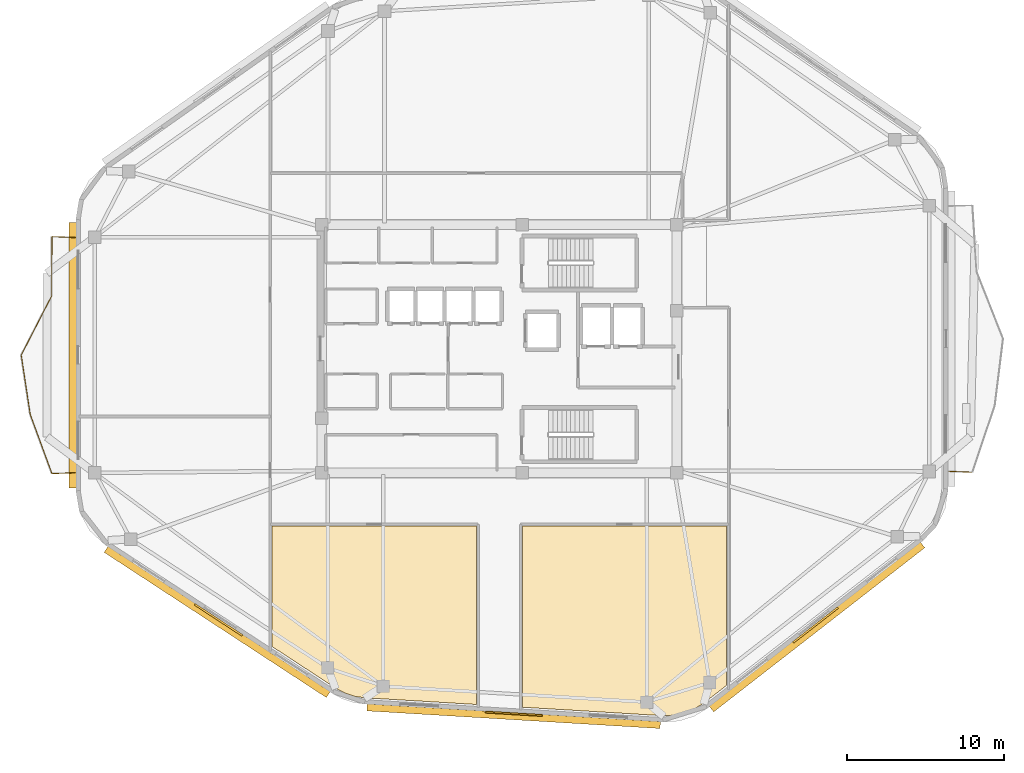
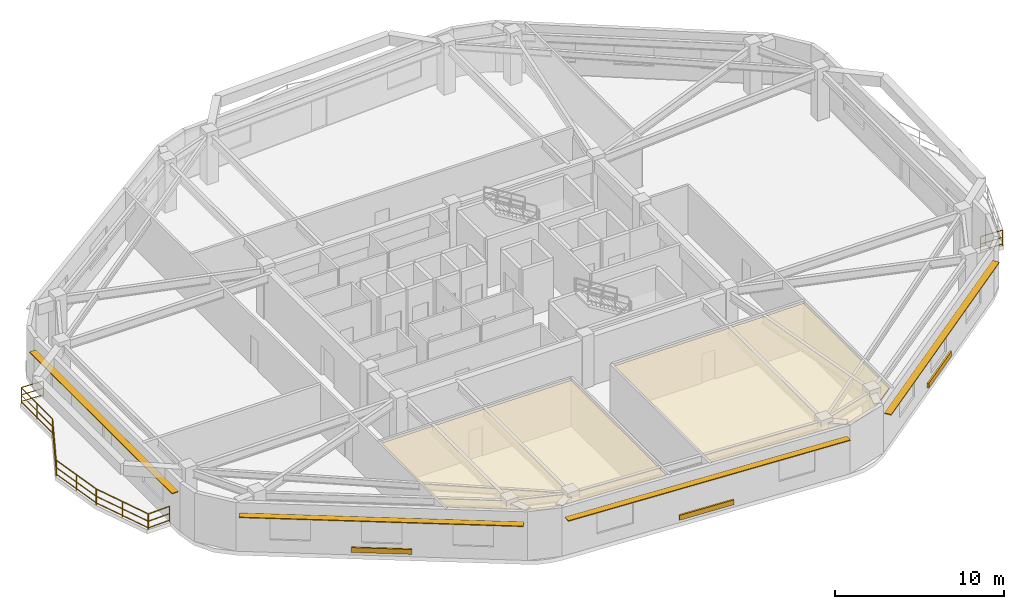
# One storey, part 7 of 9: 7 railings, 7 shading devices, 2 coverings.
"""IFC4 building model written with IfcOpenShell, lengths in metres."""

from ifc_helpers import new_model, si_unit, direction, frame, origin, origin_2d, place, context, subcontext, project, spatial, polyline, rectangle, outline, extrude, material, layer, layer_set, type_object, element, save


model = new_model("IFC4")

# Units and contexts
model_context = context("Model", 3, precision=1e-05, world=origin(), true_north=direction((0.0, 1.0)))
body_context = subcontext(model_context, "Body", "Model", "MODEL_VIEW")
ifc_project = project(units=[si_unit("LENGTHUNIT", "METRE"), si_unit("AREAUNIT", "SQUARE_METRE"), si_unit("VOLUMEUNIT", "CUBIC_METRE"), si_unit("PLANEANGLEUNIT", "RADIAN"), si_unit("MASSUNIT", "GRAM", prefix="KILO")], contexts=[model_context])

# Site, building, storey
site_placement = place(None, origin())
site = spatial("IfcSite", under=ifc_project, at=site_placement, CompositionType="ELEMENT")
building_placement = place(site_placement, origin())
building = spatial("IfcBuilding", under=site, at=building_placement, Name="Zulverin Broadcast Headquarters", CompositionType="ELEMENT")
storey_placement = place(building_placement, frame((0.0, 0.0, 251.60009765625)))
storey = spatial("IfcBuildingStorey", under=building, at=storey_placement, Name="L64", CompositionType="ELEMENT", Elevation=251.60009765625)

# Coverings
ifc_material_1 = material(Name="Perforated pale-metal acoustic baffle ceiling", Category="aluminium")
ifc_layer_1 = layer(ifc_material_1, 0.0400390625, Name="Perforated pale-metal acoustic baffle ceiling", Category="aluminium")
ifc_layer_set_1 = layer_set([ifc_layer_1], Name="Perforated pale-metal acoustic baffle ceiling")
covering_type = type_object("IfcCoveringType", Name="COV-CEIL-ACOU", PredefinedType="CEILING", material=ifc_layer_set_1)
covering_1_placement = place(storey_placement, frame((0.0, 0.0, 3.329833984375)))
element("IfcCovering", 1, at=covering_1_placement, inside=storey, type_object=covering_type, Name="L64 Acoustic Baffle Ceiling 02", PredefinedType="CEILING", context=body_context, shape_type="SweptSolid", body=[
    extrude(outline(polyline([(27.18798828125, 3.33203125), (27.7958984375, 3.1279296875), (28.444091796875, 3.031982421875), (35.531982421875, 2.60791015625), (35.531982421875, 13.931884765625), (22.572021484375, 13.931884765625), (22.572021484375, 6.280029296875), (26.60791015625, 3.639892578125), (27.18798828125, 3.33203125)])), origin(), (0.0, 0.0, 1.0), 0.0400390625),
])
covering_2_placement = place(storey_placement, frame((0.0, 0.0, 3.329833984375)))
element("IfcCovering", 2, at=covering_2_placement, inside=storey, type_object=covering_type, Name="L64 Acoustic Baffle Ceiling 03", PredefinedType="CEILING", context=body_context, shape_type="SweptSolid", body=[
    extrude(outline(polyline([(38.471923828125, 13.931884765625), (38.471923828125, 2.431884765625), (47.427978515625, 1.89208984375), (48.340087890625, 1.947998046875), (49.18408203125, 2.2119140625), (49.964111328125, 2.679931640625), (51.431884765625, 3.820068359375), (51.431884765625, 13.931884765625), (38.471923828125, 13.931884765625)])), origin(), (0.0, 0.0, 1.0), 0.0400390625),
])

# Railings
ifc_material_2 = material(Name="Brushed stainless steel & laminated glass balustrade", Category="steel")
railing_type = type_object("IfcRailingType", Name="RL-GUARD-1150", PredefinedType="GUARDRAIL", material=ifc_material_2)
railing_1_placement = place(storey_placement, frame((65.5400390625, 17.417724609375, 0.0)))
element("IfcRailing", 3, at=railing_1_placement, inside=storey, type_object=railing_type, Name="L64 Vertical-Forest Balcony Guardrail BAL_E Segment 01", PredefinedType="GUARDRAIL", context=body_context, shape_type="SweptSolid", body=[
    extrude(rectangle(XDim=0.048095703125, YDim=0.048095703125, at=origin_2d()), frame((0.0, 0.0, 1.1259765625), z_axis=(0.99918088253, -0.040466825742, 0.0), x_axis=(0.040466825742, 0.99918088253, 0.0)), (0.0, 0.0, 1.0), 1.466064453125),
    extrude(rectangle(XDim=0.0419921875, YDim=0.0419921875, at=origin_2d()), frame((0.0, 0.0, 0.597900390625), z_axis=(0.99918088253, -0.040466825742, 0.0), x_axis=(0.040466825742, 0.99918088253, 0.0)), (0.0, 0.0, 1.0), 1.466064453125),
    extrude(rectangle(XDim=0.0419921875, YDim=0.0419921875, at=origin_2d()), frame((0.0, 0.0, 0.1201171875), z_axis=(0.99918088253, -0.040466825742, 0.0), x_axis=(0.040466825742, 0.99918088253, 0.0)), (0.0, 0.0, 1.0), 1.466064453125),
    extrude(rectangle(XDim=0.0419921875, YDim=0.0419921875, at=origin_2d()), origin(), (0.0, 0.0, 1.0), 1.101806640625),
    extrude(rectangle(XDim=0.0419921875, YDim=0.0419921875, at=origin_2d()), frame((1.46484375, -0.059326171875, 0.0)), (0.0, 0.0, 1.0), 1.101806640625),
])
railing_2_placement = place(storey_placement, frame((10.06005859375, 32.265380859375, 0.0)))
element("IfcRailing", 4, at=railing_2_placement, inside=storey, type_object=railing_type, Name="L64 Vertical-Forest Balcony Guardrail BAL_W Segment 01", PredefinedType="GUARDRAIL", context=body_context, shape_type="SweptSolid", body=[
    extrude(rectangle(XDim=0.048095703125, YDim=0.048095703125, at=origin_2d()), frame((0.0, 0.0, 1.1259765625), z_axis=(-0.999181155166, 0.040460093435, 0.0), x_axis=(-0.040460093435, -0.999181155166, 0.0)), (0.0, 0.0, 1.0), 1.46630859375),
    extrude(rectangle(XDim=0.0419921875, YDim=0.0419921875, at=origin_2d()), frame((0.0, 0.0, 0.597900390625), z_axis=(-0.999181155166, 0.040460093435, 0.0), x_axis=(-0.040460093435, -0.999181155166, 0.0)), (0.0, 0.0, 1.0), 1.46630859375),
    extrude(rectangle(XDim=0.0419921875, YDim=0.0419921875, at=origin_2d()), frame((0.0, 0.0, 0.1201171875), z_axis=(-0.999181155166, 0.040460093435, 0.0), x_axis=(-0.040460093435, -0.999181155166, 0.0)), (0.0, 0.0, 1.0), 1.46630859375),
    extrude(rectangle(XDim=0.0419921875, YDim=0.0419921875, at=origin_2d()), origin(), (0.0, 0.0, 1.0), 1.101806640625),
    extrude(rectangle(XDim=0.0419921875, YDim=0.0419921875, at=origin_2d()), frame((-1.465087890625, 0.059326171875, 0.0)), (0.0, 0.0, 1.0), 1.101806640625),
])
railing_3_placement = place(storey_placement, frame((8.579833984375, 32.310302734375, 0.0)))
element("IfcRailing", 5, at=railing_3_placement, inside=storey, type_object=railing_type, Name="L64 Vertical-Forest Balcony Guardrail BAL_W Segment 02", PredefinedType="GUARDRAIL", context=body_context, shape_type="SweptSolid", body=[
    extrude(rectangle(XDim=0.048095703125, YDim=0.048095703125, at=origin_2d()), frame((0.0, 0.0, 1.1259765625), z_axis=(-0.004772747209, -0.999988610377, 0.0), x_axis=(0.999988610377, -0.004772747209, 0.0)), (0.0, 0.0, 1.0), 3.734130859375),
    extrude(rectangle(XDim=0.0419921875, YDim=0.0419921875, at=origin_2d()), frame((0.0, 0.0, 0.597900390625), z_axis=(-0.004772747209, -0.999988610377, 0.0), x_axis=(0.999988610377, -0.004772747209, 0.0)), (0.0, 0.0, 1.0), 3.734130859375),
    extrude(rectangle(XDim=0.0419921875, YDim=0.0419921875, at=origin_2d()), frame((0.0, 0.0, 0.1201171875), z_axis=(-0.004772747209, -0.999988610377, 0.0), x_axis=(0.999988610377, -0.004772747209, 0.0)), (0.0, 0.0, 1.0), 3.734130859375),
    extrude(rectangle(XDim=0.0419921875, YDim=0.0419921875, at=origin_2d()), origin(), (0.0, 0.0, 1.0), 1.101806640625),
    extrude(rectangle(XDim=0.0419921875, YDim=0.0419921875, at=origin_2d()), frame((-0.0087890625, -1.8671875, 0.0)), (0.0, 0.0, 1.0), 1.101806640625),
    extrude(rectangle(XDim=0.0419921875, YDim=0.0419921875, at=origin_2d()), frame((-0.017822265625, -3.734130859375, 0.0)), (0.0, 0.0, 1.0), 1.101806640625),
])
railing_4_placement = place(storey_placement, frame((8.55517578125, 28.5478515625, 0.0)))
element("IfcRailing", 6, at=railing_4_placement, inside=storey, type_object=railing_type, Name="L64 Vertical-Forest Balcony Guardrail BAL_W Segment 03", PredefinedType="GUARDRAIL", context=body_context, shape_type="SweptSolid", body=[
    extrude(rectangle(XDim=0.048095703125, YDim=0.048095703125, at=origin_2d()), frame((0.0, 0.0, 1.1259765625), z_axis=(-0.456649319024, -0.889646783524, 0.0), x_axis=(0.889646783524, -0.456649319024, 0.0)), (0.0, 0.0, 1.0), 4.201171875),
    extrude(rectangle(XDim=0.0419921875, YDim=0.0419921875, at=origin_2d()), frame((0.0, 0.0, 0.597900390625), z_axis=(-0.456649319024, -0.889646783524, 0.0), x_axis=(0.889646783524, -0.456649319024, 0.0)), (0.0, 0.0, 1.0), 4.201171875),
    extrude(rectangle(XDim=0.0419921875, YDim=0.0419921875, at=origin_2d()), frame((0.0, 0.0, 0.1201171875), z_axis=(-0.456649319024, -0.889646783524, 0.0), x_axis=(0.889646783524, -0.456649319024, 0.0)), (0.0, 0.0, 1.0), 4.201171875),
    extrude(rectangle(XDim=0.0419921875, YDim=0.0419921875, at=origin_2d()), origin(), (0.0, 0.0, 1.0), 1.101806640625),
    extrude(rectangle(XDim=0.0419921875, YDim=0.0419921875, at=origin_2d()), frame((-0.959228515625, -1.86865234375, 0.0)), (0.0, 0.0, 1.0), 1.101806640625),
    extrude(rectangle(XDim=0.0419921875, YDim=0.0419921875, at=origin_2d()), frame((-1.91845703125, -3.737548828125, 0.0)), (0.0, 0.0, 1.0), 1.101806640625),
])
railing_5_placement = place(storey_placement, frame((6.632080078125, 24.7822265625, 0.0)))
element("IfcRailing", 7, at=railing_5_placement, inside=storey, type_object=railing_type, Name="L64 Vertical-Forest Balcony Guardrail BAL_W Segment 04", PredefinedType="GUARDRAIL", context=body_context, shape_type="SweptSolid", body=[
    extrude(rectangle(XDim=0.048095703125, YDim=0.048095703125, at=origin_2d()), frame((0.0, 0.0, 1.1259765625), z_axis=(0.149633052347, -0.988741599026, 0.0), x_axis=(0.988741599026, 0.149633052347, 0.0)), (0.0, 0.0, 1.0), 3.777099609375),
    extrude(rectangle(XDim=0.0419921875, YDim=0.0419921875, at=origin_2d()), frame((0.0, 0.0, 0.597900390625), z_axis=(0.149633052347, -0.988741599026, 0.0), x_axis=(0.988741599026, 0.149633052347, 0.0)), (0.0, 0.0, 1.0), 3.777099609375),
    extrude(rectangle(XDim=0.0419921875, YDim=0.0419921875, at=origin_2d()), frame((0.0, 0.0, 0.1201171875), z_axis=(0.149633052347, -0.988741599026, 0.0), x_axis=(0.988741599026, 0.149633052347, 0.0)), (0.0, 0.0, 1.0), 3.777099609375),
    extrude(rectangle(XDim=0.0419921875, YDim=0.0419921875, at=origin_2d()), origin(), (0.0, 0.0, 1.0), 1.101806640625),
    extrude(rectangle(XDim=0.0419921875, YDim=0.0419921875, at=origin_2d()), frame((0.28271484375, -1.8671875, 0.0)), (0.0, 0.0, 1.0), 1.101806640625),
    extrude(rectangle(XDim=0.0419921875, YDim=0.0419921875, at=origin_2d()), frame((0.565185546875, -3.734619140625, 0.0)), (0.0, 0.0, 1.0), 1.101806640625),
])
railing_6_placement = place(storey_placement, frame((7.20458984375, 21.018798828125, 0.0)))
element("IfcRailing", 8, at=railing_6_placement, inside=storey, type_object=railing_type, Name="L64 Vertical-Forest Balcony Guardrail BAL_W Segment 05", PredefinedType="GUARDRAIL", context=body_context, shape_type="SweptSolid", body=[
    extrude(rectangle(XDim=0.048095703125, YDim=0.048095703125, at=origin_2d()), frame((0.0, 0.0, 1.1259765625), z_axis=(0.344303321103, -0.938858468076, 0.0), x_axis=(0.938858468076, 0.344303321103, 0.0)), (0.0, 0.0, 1.0), 3.9794921875),
    extrude(rectangle(XDim=0.0419921875, YDim=0.0419921875, at=origin_2d()), frame((0.0, 0.0, 0.597900390625), z_axis=(0.344303321103, -0.938858468076, 0.0), x_axis=(0.938858468076, 0.344303321103, 0.0)), (0.0, 0.0, 1.0), 3.9794921875),
    extrude(rectangle(XDim=0.0419921875, YDim=0.0419921875, at=origin_2d()), frame((0.0, 0.0, 0.1201171875), z_axis=(0.344303321103, -0.938858468076, 0.0), x_axis=(0.938858468076, 0.344303321103, 0.0)), (0.0, 0.0, 1.0), 3.9794921875),
    extrude(rectangle(XDim=0.0419921875, YDim=0.0419921875, at=origin_2d()), origin(), (0.0, 0.0, 1.0), 1.101806640625),
    extrude(rectangle(XDim=0.0419921875, YDim=0.0419921875, at=origin_2d()), frame((0.68505859375, -1.8681640625, 0.0)), (0.0, 0.0, 1.0), 1.101806640625),
    extrude(rectangle(XDim=0.0419921875, YDim=0.0419921875, at=origin_2d()), frame((1.3701171875, -3.736083984375, 0.0)), (0.0, 0.0, 1.0), 1.101806640625),
])
railing_7_placement = place(storey_placement, frame((8.594970703125, 17.269287109375, 0.0)))
element("IfcRailing", 9, at=railing_7_placement, inside=storey, type_object=railing_type, Name="L64 Vertical-Forest Balcony Guardrail BAL_W Segment 06", PredefinedType="GUARDRAIL", context=body_context, shape_type="SweptSolid", body=[
    extrude(rectangle(XDim=0.048095703125, YDim=0.048095703125, at=origin_2d()), frame((0.0, 0.0, 1.1259765625), z_axis=(0.999181155166, 0.040460093435, 0.0), x_axis=(-0.040460093435, 0.999181155166, 0.0)), (0.0, 0.0, 1.0), 1.46630859375),
    extrude(rectangle(XDim=0.0419921875, YDim=0.0419921875, at=origin_2d()), frame((0.0, 0.0, 0.597900390625), z_axis=(0.999181155166, 0.040460093435, 0.0), x_axis=(-0.040460093435, 0.999181155166, 0.0)), (0.0, 0.0, 1.0), 1.46630859375),
    extrude(rectangle(XDim=0.0419921875, YDim=0.0419921875, at=origin_2d()), frame((0.0, 0.0, 0.1201171875), z_axis=(0.999181155166, 0.040460093435, 0.0), x_axis=(-0.040460093435, 0.999181155166, 0.0)), (0.0, 0.0, 1.0), 1.46630859375),
    extrude(rectangle(XDim=0.0419921875, YDim=0.0419921875, at=origin_2d()), origin(), (0.0, 0.0, 1.0), 1.101806640625),
    extrude(rectangle(XDim=0.0419921875, YDim=0.0419921875, at=origin_2d()), frame((1.465087890625, 0.059326171875, 0.0)), (0.0, 0.0, 1.0), 1.101806640625),
])

# Shading devices
ifc_material_3 = material(Name="Anodized pale-metal aluminium acoustic louvre", Category="aluminium")
shading_device_type_1 = type_object("IfcShadingDeviceType", Name="SHD-LOUVRE-350", PredefinedType="USERDEFINED", material=ifc_material_3)
for number, where, z_axis, x_axis, name in (
    (10, (37.91259765625, 2.023681640625, 0.244873046875), (0.0, 0.0, 1.0), (0.998202681386, -0.059928347834, 0.0), "L64 Spandrel Intake Louvre 1"),
    (11, (57.077880859375, 7.653076171875, 0.244873046875), (0.0, 0.0, 1.0), (0.789459183061, 0.613803061479, 0.0), "L64 Spandrel Intake Louvre 2"),
    (12, (19.1591796875, 7.982421875, 0.244873046875), (0.0, 0.0, 1.0), (0.837115830387, -0.54702567263, 0.0), "L64 Spandrel Intake Louvre 8"),
):
    element("IfcShadingDevice", number, at=place(storey_placement, frame(where, z_axis=z_axis, x_axis=x_axis)), inside=storey, type_object=shading_device_type_1, Name=name, ObjectType="LOUVRE", PredefinedType="USERDEFINED", context=body_context, shape_type="SweptSolid", body=[
        extrude(rectangle(XDim=3.60009765625, YDim=0.1201171875, at=origin_2d()), origin(), (0.0, 0.0, 1.0), 0.35009765625),
    ])
ifc_material_4 = material(Name="Anodized pale-metal aluminium sunshade", Category="aluminium")
ifc_layer_2 = layer(ifc_material_4, 0.06005859375, Name="Anodized pale-metal aluminium sunshade", Category="aluminium")
ifc_layer_set_2 = layer_set([ifc_layer_2], Name="Anodized pale-metal aluminium sunshade")
shading_device_type_2 = type_object("IfcShadingDeviceType", Name="SS-01_PALE_METAL_ALUMINIUM_SUNSHADE", PredefinedType="USERDEFINED", material=ifc_layer_set_2)
shading_device_1_placement = place(storey_placement, frame((37.90283203125, 1.864013671875, 2.7099609375), z_axis=(0.0, 0.0, 1.0), x_axis=(0.998202681386, -0.059928347834, 0.0)))
element("IfcShadingDevice", 13, at=shading_device_1_placement, inside=storey, type_object=shading_device_type_2, Name="L64 Horizontal Pale-Metal Sunshade Band 1", ObjectType="SUNSHADE", PredefinedType="USERDEFINED", context=body_context, shape_type="SweptSolid", body=[
    extrude(rectangle(XDim=18.65966796875, YDim=0.449951171875, at=origin_2d()), origin(), (0.0, 0.0, 1.0), 0.06005859375),
])
shading_device_2_placement = place(storey_placement, frame((57.176025390625, 7.52685546875, 2.7099609375), z_axis=(0.0, 0.0, 1.0), x_axis=(0.789459183061, 0.613803061479, 0.0)))
element("IfcShadingDevice", 14, at=shading_device_2_placement, inside=storey, type_object=shading_device_type_2, Name="L64 Horizontal Pale-Metal Sunshade Band 2", ObjectType="SUNSHADE", PredefinedType="USERDEFINED", context=body_context, shape_type="SweptSolid", body=[
    extrude(rectangle(XDim=16.987548828125, YDim=0.449951171875, at=origin_2d()), origin(), (0.0, 0.0, 1.0), 0.06005859375),
])
shading_device_3_placement = place(storey_placement, frame((9.89990234375, 24.797119140625, 2.7099609375), z_axis=(0.0, 0.0, 1.0), x_axis=(0.0, -1.0, 0.0)))
element("IfcShadingDevice", 15, at=shading_device_3_placement, inside=storey, type_object=shading_device_type_2, Name="L64 Horizontal Pale-Metal Sunshade Band 7", ObjectType="SUNSHADE", PredefinedType="USERDEFINED", context=body_context, shape_type="SweptSolid", body=[
    extrude(rectangle(XDim=16.856689453125, YDim=0.449951171875, at=origin_2d()), origin(), (0.0, 0.0, 1.0), 0.06005859375),
])
shading_device_4_placement = place(storey_placement, frame((19.07177734375, 7.848388671875, 2.7099609375), z_axis=(0.0, 0.0, 1.0), x_axis=(0.837115830387, -0.54702567263, 0.0)))
element("IfcShadingDevice", 16, at=shading_device_4_placement, inside=storey, type_object=shading_device_type_2, Name="L64 Horizontal Pale-Metal Sunshade Band 8", ObjectType="SUNSHADE", PredefinedType="USERDEFINED", context=body_context, shape_type="SweptSolid", body=[
    extrude(rectangle(XDim=16.859130859375, YDim=0.449951171875, at=origin_2d()), origin(), (0.0, 0.0, 1.0), 0.06005859375),
])

save(model, "model.ifc")
